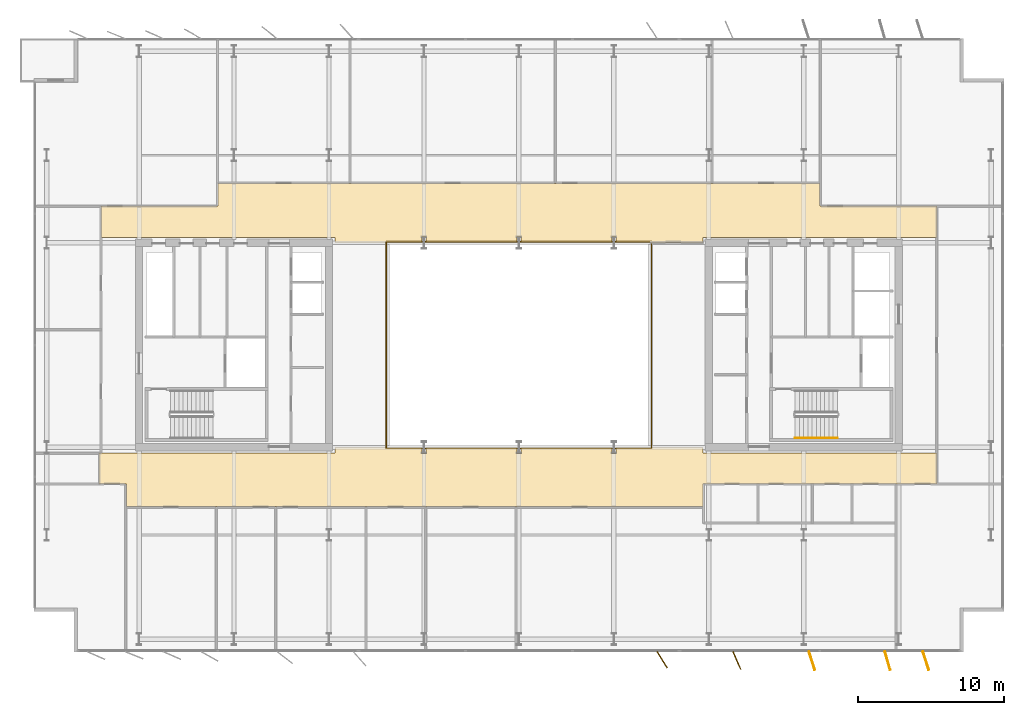
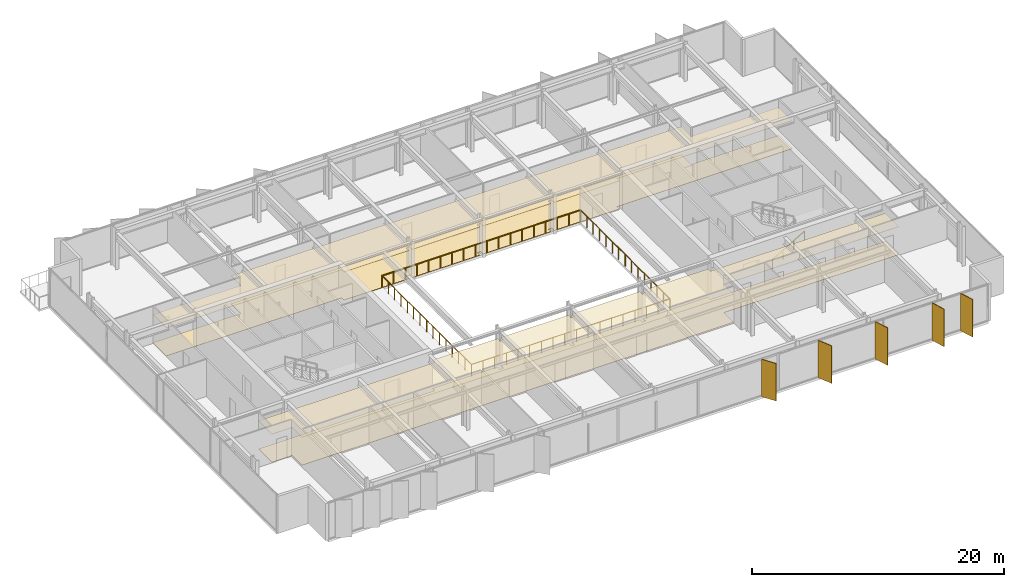
# One storey, part 21 of 23: 5 shading devices, 4 coverings, 3 railings.
"""IFC4 building model written with IfcOpenShell, lengths in metres."""

from ifc_helpers import new_model, si_unit, direction, frame, origin, origin_2d, place, context, subcontext, project, spatial, polyline, rectangle, circle, outline, extrude, material, layer, layer_set, type_object, element, save


model = new_model("IFC4")

# Units and contexts
model_context = context("Model", 3, precision=1e-05, world=origin(), true_north=direction((0.0, 1.0)))
body_context = subcontext(model_context, "Body", "Model", "MODEL_VIEW")
ifc_project = project(units=[si_unit("LENGTHUNIT", "METRE"), si_unit("AREAUNIT", "SQUARE_METRE"), si_unit("VOLUMEUNIT", "CUBIC_METRE"), si_unit("PLANEANGLEUNIT", "RADIAN"), si_unit("MASSUNIT", "GRAM", prefix="KILO")], contexts=[model_context])

# Site, building, storey
site_placement = place(None, origin())
site = spatial("IfcSite", under=ifc_project, at=site_placement, CompositionType="ELEMENT")
building_placement = place(site_placement, origin())
building = spatial("IfcBuilding", under=site, at=building_placement, Name="Putna Gate Headquarters", CompositionType="ELEMENT")
storey_placement = place(building_placement, frame((0.0, 0.0, 213.800048828125)))
storey = spatial("IfcBuildingStorey", under=building, at=storey_placement, Name="L53", CompositionType="ELEMENT", Elevation=213.800048828125)

# Coverings
ifc_material_1 = material(Name="Perforated mineral-fibre acoustic ceiling tile")
ifc_layer_1 = layer(ifc_material_1, 0.0400390625)
ifc_layer_set_1 = layer_set([ifc_layer_1], Name="Perforated mineral-fibre acoustic ceiling tile")
covering_type_1 = type_object("IfcCoveringType", Name="COV-ACOUSTIC-CEILING", PredefinedType="CEILING", material=ifc_layer_set_1)
covering_1_placement = place(storey_placement, frame((0.0, 0.0, 2.7099609375)))
element("IfcCovering", 1, at=covering_1_placement, inside=storey, type_object=covering_type_1, Name="L53 Acoustic Ceiling Covering 1", PredefinedType="CEILING", context=body_context, shape_type="SweptSolid", body=[
    extrude(outline(polyline([(45.360107421875, 33.35888671875), (45.340576171875, 33.35888671875), (45.340576171875, 33.4150390625), (45.659423828125, 33.4150390625), (45.659423828125, 33.35888671875), (45.639892578125, 33.35888671875), (45.639892578125, 33.02001953125), (51.60009765625, 33.02001953125), (51.60009765625, 33.3798828125), (67.6201171875, 33.3798828125), (67.6201171875, 35.52001953125), (59.5908203125, 35.52001953125), (59.5908203125, 37.06005859375), (18.4091796875, 37.06005859375), (18.4091796875, 35.52001953125), (10.3798828125, 35.52001953125), (10.3798828125, 33.3798828125), (26.39990234375, 33.3798828125), (26.39990234375, 33.02001953125), (32.360107421875, 33.02001953125), (32.360107421875, 33.35888671875), (32.340576171875, 33.35888671875), (32.340576171875, 33.4150390625), (32.659423828125, 33.4150390625), (32.659423828125, 33.35888671875), (32.639892578125, 33.35888671875), (32.639892578125, 33.02001953125), (38.860107421875, 33.02001953125), (38.860107421875, 33.35888671875), (38.840576171875, 33.35888671875), (38.840576171875, 33.4150390625), (39.159423828125, 33.4150390625), (39.159423828125, 33.35888671875), (39.139892578125, 33.35888671875), (39.139892578125, 33.02001953125), (45.360107421875, 33.02001953125), (45.360107421875, 33.35888671875)])), origin(), (0.0, 0.0, 1.0), 0.0400390625),
])
covering_2_placement = place(storey_placement, frame((0.0, 0.0, 2.7099609375)))
element("IfcCovering", 2, at=covering_2_placement, inside=storey, type_object=covering_type_1, Name="L53 Acoustic Ceiling Covering 2", PredefinedType="CEILING", context=body_context, shape_type="SweptSolid", body=[
    extrude(outline(polyline([(12.13134765625, 16.47998046875), (12.13134765625, 14.93994140625), (51.60009765625, 14.93994140625), (51.60009765625, 16.47998046875), (67.6201171875, 16.47998046875), (67.6201171875, 18.6201171875), (51.60009765625, 18.6201171875), (51.60009765625, 18.97998046875), (45.639892578125, 18.97998046875), (45.639892578125, 18.64111328125), (45.659423828125, 18.64111328125), (45.659423828125, 18.5849609375), (45.340576171875, 18.5849609375), (45.340576171875, 18.64111328125), (45.360107421875, 18.64111328125), (45.360107421875, 18.97998046875), (39.139892578125, 18.97998046875), (39.139892578125, 18.64111328125), (39.159423828125, 18.64111328125), (39.159423828125, 18.5849609375), (38.840576171875, 18.5849609375), (38.840576171875, 18.64111328125), (38.860107421875, 18.64111328125), (38.860107421875, 18.97998046875), (32.639892578125, 18.97998046875), (32.639892578125, 18.64111328125), (32.659423828125, 18.64111328125), (32.659423828125, 18.5849609375), (32.340576171875, 18.5849609375), (32.340576171875, 18.64111328125), (32.360107421875, 18.64111328125), (32.360107421875, 18.97998046875), (26.39990234375, 18.97998046875), (26.39990234375, 18.6201171875), (10.271240234375, 18.6201171875), (10.271240234375, 16.47998046875), (12.13134765625, 16.47998046875)])), origin(), (0.0, 0.0, 1.0), 0.0400390625),
])
ifc_material_2 = material(Name="Calcium-sulphate raised access floor finish")
ifc_layer_2 = layer(ifc_material_2, 0.030029296875)
ifc_layer_set_2 = layer_set([ifc_layer_2], Name="Calcium-sulphate raised access floor finish")
covering_type_2 = type_object("IfcCoveringType", Name="COV-RAISED-FLOORING", PredefinedType="FLOORING", material=ifc_layer_set_2)
covering_3_placement = place(storey_placement, origin())
element("IfcCovering", 3, at=covering_3_placement, inside=storey, type_object=covering_type_2, Name="L53 Raised Access Floor Covering 1", PredefinedType="FLOORING", context=body_context, shape_type="SweptSolid", body=[
    extrude(outline(polyline([(45.360107421875, 33.35888671875), (45.340576171875, 33.35888671875), (45.340576171875, 33.4150390625), (45.659423828125, 33.4150390625), (45.659423828125, 33.35888671875), (45.639892578125, 33.35888671875), (45.639892578125, 33.02001953125), (51.60009765625, 33.02001953125), (51.60009765625, 33.3798828125), (67.6201171875, 33.3798828125), (67.6201171875, 35.52001953125), (59.5908203125, 35.52001953125), (59.5908203125, 37.06005859375), (18.4091796875, 37.06005859375), (18.4091796875, 35.52001953125), (10.3798828125, 35.52001953125), (10.3798828125, 33.3798828125), (26.39990234375, 33.3798828125), (26.39990234375, 33.02001953125), (32.360107421875, 33.02001953125), (32.360107421875, 33.35888671875), (32.340576171875, 33.35888671875), (32.340576171875, 33.4150390625), (32.659423828125, 33.4150390625), (32.659423828125, 33.35888671875), (32.639892578125, 33.35888671875), (32.639892578125, 33.02001953125), (38.860107421875, 33.02001953125), (38.860107421875, 33.35888671875), (38.840576171875, 33.35888671875), (38.840576171875, 33.4150390625), (39.159423828125, 33.4150390625), (39.159423828125, 33.35888671875), (39.139892578125, 33.35888671875), (39.139892578125, 33.02001953125), (45.360107421875, 33.02001953125), (45.360107421875, 33.35888671875)])), origin(), (0.0, 0.0, 1.0), 0.030029296875),
])
covering_4_placement = place(storey_placement, origin())
element("IfcCovering", 4, at=covering_4_placement, inside=storey, type_object=covering_type_2, Name="L53 Raised Access Floor Covering 2", PredefinedType="FLOORING", context=body_context, shape_type="SweptSolid", body=[
    extrude(outline(polyline([(12.13134765625, 16.47998046875), (12.13134765625, 14.93994140625), (51.60009765625, 14.93994140625), (51.60009765625, 16.47998046875), (67.6201171875, 16.47998046875), (67.6201171875, 18.6201171875), (51.60009765625, 18.6201171875), (51.60009765625, 18.97998046875), (45.639892578125, 18.97998046875), (45.639892578125, 18.64111328125), (45.659423828125, 18.64111328125), (45.659423828125, 18.5849609375), (45.340576171875, 18.5849609375), (45.340576171875, 18.64111328125), (45.360107421875, 18.64111328125), (45.360107421875, 18.97998046875), (39.139892578125, 18.97998046875), (39.139892578125, 18.64111328125), (39.159423828125, 18.64111328125), (39.159423828125, 18.5849609375), (38.840576171875, 18.5849609375), (38.840576171875, 18.64111328125), (38.860107421875, 18.64111328125), (38.860107421875, 18.97998046875), (32.639892578125, 18.97998046875), (32.639892578125, 18.64111328125), (32.659423828125, 18.64111328125), (32.659423828125, 18.5849609375), (32.340576171875, 18.5849609375), (32.340576171875, 18.64111328125), (32.360107421875, 18.64111328125), (32.360107421875, 18.97998046875), (26.39990234375, 18.97998046875), (26.39990234375, 18.6201171875), (10.271240234375, 18.6201171875), (10.271240234375, 16.47998046875), (12.13134765625, 16.47998046875)])), origin(), (0.0, 0.0, 1.0), 0.030029296875),
])

# Railings
ifc_material_3 = material(Name="Anodised bronze and laminated glass atrium balustrade", Category="glass")
railing_type_1 = type_object("IfcRailingType", Name="RAIL-ATRIUM-GUARD-1150", PredefinedType="GUARDRAIL", material=ifc_material_3)
railing_1_placement = place(storey_placement, frame((29.919921875, 25.969970703125, 0.0)))
element("IfcRailing", 5, at=railing_1_placement, inside=storey, type_object=railing_type_1, Name="L53 Central Atrium Glazed Balustrade South", PredefinedType="GUARDRAIL", context=body_context, shape_type="SweptSolid", body=[
    extrude(circle(Radius=0.02392578125, at=origin_2d()), frame((0.0, 0.0, 1.1259765625), z_axis=(0.0, -1.0, 0.0), x_axis=(1.0, 0.0, 0.0)), (0.0, 0.0, 1.0), 7.050048828125),
    extrude(circle(Radius=0.02392578125, at=origin_2d()), frame((0.0, -7.050048828125, 1.1259765625), z_axis=(1.0, 0.0, 0.0), x_axis=(0.0, 1.0, 0.0)), (0.0, 0.0, 1.0), 18.16015625),
    extrude(circle(Radius=0.02392578125, at=origin_2d()), frame((18.16015625, -7.050048828125, 1.1259765625), z_axis=(0.0, 1.0, 0.0), x_axis=(-1.0, 0.0, 0.0)), (0.0, 0.0, 1.0), 7.050048828125),
    extrude(circle(Radius=0.02099609375, at=origin_2d()), origin(), (0.0, 0.0, 1.0), 1.101806640625),
    extrude(circle(Radius=0.02099609375, at=origin_2d()), frame((0.0, -1.007080078125, 0.0)), (0.0, 0.0, 1.0), 1.101806640625),
    extrude(circle(Radius=0.02099609375, at=origin_2d()), frame((0.0, -2.014404296875, 0.0)), (0.0, 0.0, 1.0), 1.101806640625),
    extrude(circle(Radius=0.02099609375, at=origin_2d()), frame((0.0, -3.021484375, 0.0)), (0.0, 0.0, 1.0), 1.101806640625),
    extrude(circle(Radius=0.02099609375, at=origin_2d()), frame((0.0, -4.028564453125, 0.0)), (0.0, 0.0, 1.0), 1.101806640625),
    extrude(circle(Radius=0.02099609375, at=origin_2d()), frame((0.0, -5.03564453125, 0.0)), (0.0, 0.0, 1.0), 1.101806640625),
    extrude(circle(Radius=0.02099609375, at=origin_2d()), frame((0.0, -6.04296875, 0.0)), (0.0, 0.0, 1.0), 1.101806640625),
    extrude(circle(Radius=0.02099609375, at=origin_2d()), frame((0.0, -7.050048828125, 0.0)), (0.0, 0.0, 1.0), 1.101806640625),
    extrude(circle(Radius=0.02099609375, at=origin_2d()), frame((1.068359375, -7.050048828125, 0.0)), (0.0, 0.0, 1.0), 1.101806640625),
    extrude(circle(Radius=0.02099609375, at=origin_2d()), frame((2.136474609375, -7.050048828125, 0.0)), (0.0, 0.0, 1.0), 1.101806640625),
    extrude(circle(Radius=0.02099609375, at=origin_2d()), frame((3.204833984375, -7.050048828125, 0.0)), (0.0, 0.0, 1.0), 1.101806640625),
    extrude(circle(Radius=0.02099609375, at=origin_2d()), frame((4.27294921875, -7.050048828125, 0.0)), (0.0, 0.0, 1.0), 1.101806640625),
    extrude(circle(Radius=0.02099609375, at=origin_2d()), frame((5.34130859375, -7.050048828125, 0.0)), (0.0, 0.0, 1.0), 1.101806640625),
    extrude(circle(Radius=0.02099609375, at=origin_2d()), frame((6.409423828125, -7.050048828125, 0.0)), (0.0, 0.0, 1.0), 1.101806640625),
    extrude(circle(Radius=0.02099609375, at=origin_2d()), frame((7.477783203125, -7.050048828125, 0.0)), (0.0, 0.0, 1.0), 1.101806640625),
    extrude(circle(Radius=0.02099609375, at=origin_2d()), frame((8.5458984375, -7.050048828125, 0.0)), (0.0, 0.0, 1.0), 1.101806640625),
    extrude(circle(Radius=0.02099609375, at=origin_2d()), frame((9.6142578125, -7.050048828125, 0.0)), (0.0, 0.0, 1.0), 1.101806640625),
    extrude(circle(Radius=0.02099609375, at=origin_2d()), frame((10.682373046875, -7.050048828125, 0.0)), (0.0, 0.0, 1.0), 1.101806640625),
    extrude(circle(Radius=0.02099609375, at=origin_2d()), frame((11.750732421875, -7.050048828125, 0.0)), (0.0, 0.0, 1.0), 1.101806640625),
    extrude(circle(Radius=0.02099609375, at=origin_2d()), frame((12.81884765625, -7.050048828125, 0.0)), (0.0, 0.0, 1.0), 1.101806640625),
    extrude(circle(Radius=0.02099609375, at=origin_2d()), frame((13.88720703125, -7.050048828125, 0.0)), (0.0, 0.0, 1.0), 1.101806640625),
    extrude(circle(Radius=0.02099609375, at=origin_2d()), frame((14.955322265625, -7.050048828125, 0.0)), (0.0, 0.0, 1.0), 1.101806640625),
    extrude(circle(Radius=0.02099609375, at=origin_2d()), frame((16.023681640625, -7.050048828125, 0.0)), (0.0, 0.0, 1.0), 1.101806640625),
    extrude(circle(Radius=0.02099609375, at=origin_2d()), frame((17.091796875, -7.050048828125, 0.0)), (0.0, 0.0, 1.0), 1.101806640625),
    extrude(circle(Radius=0.02099609375, at=origin_2d()), frame((18.16015625, -7.050048828125, 0.0)), (0.0, 0.0, 1.0), 1.101806640625),
    extrude(circle(Radius=0.02099609375, at=origin_2d()), frame((18.16015625, -6.04296875, 0.0)), (0.0, 0.0, 1.0), 1.101806640625),
    extrude(circle(Radius=0.02099609375, at=origin_2d()), frame((18.16015625, -5.03564453125, 0.0)), (0.0, 0.0, 1.0), 1.101806640625),
    extrude(circle(Radius=0.02099609375, at=origin_2d()), frame((18.16015625, -4.028564453125, 0.0)), (0.0, 0.0, 1.0), 1.101806640625),
    extrude(circle(Radius=0.02099609375, at=origin_2d()), frame((18.16015625, -3.021484375, 0.0)), (0.0, 0.0, 1.0), 1.101806640625),
    extrude(circle(Radius=0.02099609375, at=origin_2d()), frame((18.16015625, -2.014404296875, 0.0)), (0.0, 0.0, 1.0), 1.101806640625),
    extrude(circle(Radius=0.02099609375, at=origin_2d()), frame((18.16015625, -1.007080078125, 0.0)), (0.0, 0.0, 1.0), 1.101806640625),
    extrude(circle(Radius=0.02099609375, at=origin_2d()), frame((18.16015625, 0.0, 0.0)), (0.0, 0.0, 1.0), 1.101806640625),
])
railing_2_placement = place(storey_placement, frame((48.080078125, 26.030029296875, 0.0)))
element("IfcRailing", 6, at=railing_2_placement, inside=storey, type_object=railing_type_1, Name="L53 Central Atrium Glazed Balustrade North", PredefinedType="GUARDRAIL", context=body_context, shape_type="SweptSolid", body=[
    extrude(circle(Radius=0.02392578125, at=origin_2d()), frame((0.0, 0.0, 1.1259765625), z_axis=(0.0, 1.0, 0.0), x_axis=(-1.0, 0.0, 0.0)), (0.0, 0.0, 1.0), 7.050048828125),
    extrude(circle(Radius=0.02392578125, at=origin_2d()), frame((0.0, 7.050048828125, 1.1259765625), z_axis=(-1.0, 0.0, 0.0), x_axis=(0.0, -1.0, 0.0)), (0.0, 0.0, 1.0), 18.16015625),
    extrude(circle(Radius=0.02392578125, at=origin_2d()), frame((-18.16015625, 7.050048828125, 1.1259765625), z_axis=(0.0, -1.0, 0.0), x_axis=(1.0, 0.0, 0.0)), (0.0, 0.0, 1.0), 7.050048828125),
    extrude(circle(Radius=0.02099609375, at=origin_2d()), origin(), (0.0, 0.0, 1.0), 1.101806640625),
    extrude(circle(Radius=0.02099609375, at=origin_2d()), frame((0.0, 1.007080078125, 0.0)), (0.0, 0.0, 1.0), 1.101806640625),
    extrude(circle(Radius=0.02099609375, at=origin_2d()), frame((0.0, 2.014404296875, 0.0)), (0.0, 0.0, 1.0), 1.101806640625),
    extrude(circle(Radius=0.02099609375, at=origin_2d()), frame((0.0, 3.021484375, 0.0)), (0.0, 0.0, 1.0), 1.101806640625),
    extrude(circle(Radius=0.02099609375, at=origin_2d()), frame((0.0, 4.028564453125, 0.0)), (0.0, 0.0, 1.0), 1.101806640625),
    extrude(circle(Radius=0.02099609375, at=origin_2d()), frame((0.0, 5.03564453125, 0.0)), (0.0, 0.0, 1.0), 1.101806640625),
    extrude(circle(Radius=0.02099609375, at=origin_2d()), frame((0.0, 6.04296875, 0.0)), (0.0, 0.0, 1.0), 1.101806640625),
    extrude(circle(Radius=0.02099609375, at=origin_2d()), frame((0.0, 7.050048828125, 0.0)), (0.0, 0.0, 1.0), 1.101806640625),
    extrude(circle(Radius=0.02099609375, at=origin_2d()), frame((-1.068359375, 7.050048828125, 0.0)), (0.0, 0.0, 1.0), 1.101806640625),
    extrude(circle(Radius=0.02099609375, at=origin_2d()), frame((-2.136474609375, 7.050048828125, 0.0)), (0.0, 0.0, 1.0), 1.101806640625),
    extrude(circle(Radius=0.02099609375, at=origin_2d()), frame((-3.204833984375, 7.050048828125, 0.0)), (0.0, 0.0, 1.0), 1.101806640625),
    extrude(circle(Radius=0.02099609375, at=origin_2d()), frame((-4.27294921875, 7.050048828125, 0.0)), (0.0, 0.0, 1.0), 1.101806640625),
    extrude(circle(Radius=0.02099609375, at=origin_2d()), frame((-5.34130859375, 7.050048828125, 0.0)), (0.0, 0.0, 1.0), 1.101806640625),
    extrude(circle(Radius=0.02099609375, at=origin_2d()), frame((-6.409423828125, 7.050048828125, 0.0)), (0.0, 0.0, 1.0), 1.101806640625),
    extrude(circle(Radius=0.02099609375, at=origin_2d()), frame((-7.477783203125, 7.050048828125, 0.0)), (0.0, 0.0, 1.0), 1.101806640625),
    extrude(circle(Radius=0.02099609375, at=origin_2d()), frame((-8.5458984375, 7.050048828125, 0.0)), (0.0, 0.0, 1.0), 1.101806640625),
    extrude(circle(Radius=0.02099609375, at=origin_2d()), frame((-9.6142578125, 7.050048828125, 0.0)), (0.0, 0.0, 1.0), 1.101806640625),
    extrude(circle(Radius=0.02099609375, at=origin_2d()), frame((-10.682373046875, 7.050048828125, 0.0)), (0.0, 0.0, 1.0), 1.101806640625),
    extrude(circle(Radius=0.02099609375, at=origin_2d()), frame((-11.750732421875, 7.050048828125, 0.0)), (0.0, 0.0, 1.0), 1.101806640625),
    extrude(circle(Radius=0.02099609375, at=origin_2d()), frame((-12.81884765625, 7.050048828125, 0.0)), (0.0, 0.0, 1.0), 1.101806640625),
    extrude(circle(Radius=0.02099609375, at=origin_2d()), frame((-13.88720703125, 7.050048828125, 0.0)), (0.0, 0.0, 1.0), 1.101806640625),
    extrude(circle(Radius=0.02099609375, at=origin_2d()), frame((-14.955322265625, 7.050048828125, 0.0)), (0.0, 0.0, 1.0), 1.101806640625),
    extrude(circle(Radius=0.02099609375, at=origin_2d()), frame((-16.023681640625, 7.050048828125, 0.0)), (0.0, 0.0, 1.0), 1.101806640625),
    extrude(circle(Radius=0.02099609375, at=origin_2d()), frame((-17.091796875, 7.050048828125, 0.0)), (0.0, 0.0, 1.0), 1.101806640625),
    extrude(circle(Radius=0.02099609375, at=origin_2d()), frame((-18.16015625, 7.050048828125, 0.0)), (0.0, 0.0, 1.0), 1.101806640625),
    extrude(circle(Radius=0.02099609375, at=origin_2d()), frame((-18.16015625, 6.04296875, 0.0)), (0.0, 0.0, 1.0), 1.101806640625),
    extrude(circle(Radius=0.02099609375, at=origin_2d()), frame((-18.16015625, 5.03564453125, 0.0)), (0.0, 0.0, 1.0), 1.101806640625),
    extrude(circle(Radius=0.02099609375, at=origin_2d()), frame((-18.16015625, 4.028564453125, 0.0)), (0.0, 0.0, 1.0), 1.101806640625),
    extrude(circle(Radius=0.02099609375, at=origin_2d()), frame((-18.16015625, 3.021484375, 0.0)), (0.0, 0.0, 1.0), 1.101806640625),
    extrude(circle(Radius=0.02099609375, at=origin_2d()), frame((-18.16015625, 2.014404296875, 0.0)), (0.0, 0.0, 1.0), 1.101806640625),
    extrude(circle(Radius=0.02099609375, at=origin_2d()), frame((-18.16015625, 1.007080078125, 0.0)), (0.0, 0.0, 1.0), 1.101806640625),
    extrude(circle(Radius=0.02099609375, at=origin_2d()), frame((-18.16015625, 0.0, 0.0)), (0.0, 0.0, 1.0), 1.101806640625),
])
ifc_material_4 = material(Name="Brushed stainless steel handrail", Category="steel")
railing_type_2 = type_object("IfcRailingType", Name="RAIL-STAIR-HAND-900", PredefinedType="HANDRAIL", material=ifc_material_4)
railing_3_placement = place(storey_placement, frame((57.89990234375, 19.64990234375, 0.172607421875)))
element("IfcRailing", 7, at=railing_3_placement, inside=storey, type_object=railing_type_2, Name="L53 ST2 stair handrail 1", PredefinedType="HANDRAIL", context=body_context, shape_type="SweptSolid", body=[
    extrude(circle(Radius=0.02392578125, at=origin_2d()), frame((0.0, 0.0, 0.8759765625), z_axis=(0.859160404282, 0.0, 0.51170636083), x_axis=(0.0, 1.0, 0.0)), (0.0, 0.0, 1.0), 3.37548828125),
    extrude(circle(Radius=0.02099609375, at=origin_2d()), origin(), (0.0, 0.0, 1.0), 0.851806640625),
    extrude(circle(Radius=0.02099609375, at=origin_2d()), frame((0.966796875, 0.0, 0.57568359375)), (0.0, 0.0, 1.0), 0.851806640625),
    extrude(circle(Radius=0.02099609375, at=origin_2d()), frame((1.933349609375, 0.0, 1.151611328125)), (0.0, 0.0, 1.0), 0.851806640625),
    extrude(circle(Radius=0.02099609375, at=origin_2d()), frame((2.900146484375, 0.0, 1.727294921875)), (0.0, 0.0, 1.0), 0.851806640625),
])

# Shading devices
ifc_material_5 = material(Name="Anodised architectural bronze aluminium fin", Category="aluminium")
ifc_layer_3 = layer(ifc_material_5, 0.06494140625)
ifc_layer_set_3 = layer_set([ifc_layer_3], Name="Anodised architectural bronze aluminium fin")
shading_device_type = type_object("IfcShadingDeviceType", Name="SHADE-BRONZE-FIN-1320", PredefinedType="USERDEFINED", material=ifc_layer_set_3)
for number, where, z_axis, x_axis, name in (
    (8, (48.80029296875, 4.465576171875, -0.02001953125), (0.0, 0.0, 1.0), (0.530659123936, -0.847585331506, 0.0), "L53 Bronze Vertical Shading Fin S7"),
    (9, (53.914306640625, 4.42041015625, -0.02001953125), (0.0, 0.0, 1.0), (0.400668879095, -0.916222925562, 0.0), "L53 Bronze Vertical Shading Fin S8"),
    (10, (59.0537109375, 4.397216796875, -0.02001953125), (0.0, 0.0, 1.0), (0.308684994204, -0.951164325631, 0.0), "L53 Bronze Vertical Shading Fin S9"),
    (11, (64.23193359375, 4.390625, -0.02001953125), (0.0, 0.0, 1.0), (0.275637355817, -0.961261695938, 0.0), "L53 Bronze Vertical Shading Fin S10"),
    (12, (66.853759765625, 4.397216796875, -0.02001953125), (0.0, 0.0, 1.0), (0.308684994204, -0.951164325631, 0.0), "L53 Bronze Vertical Shading Fin S11"),
):
    element("IfcShadingDevice", number, at=place(storey_placement, frame(where, z_axis=z_axis, x_axis=x_axis)), inside=storey, type_object=shading_device_type, Name=name, ObjectType="FIN", PredefinedType="USERDEFINED", context=body_context, shape_type="SweptSolid", body=[
        extrude(rectangle(XDim=1.320068359375, YDim=0.06494140625, at=origin_2d()), origin(), (0.0, 0.0, 1.0), 3.6201171875),
    ])

save(model, "model.ifc")
